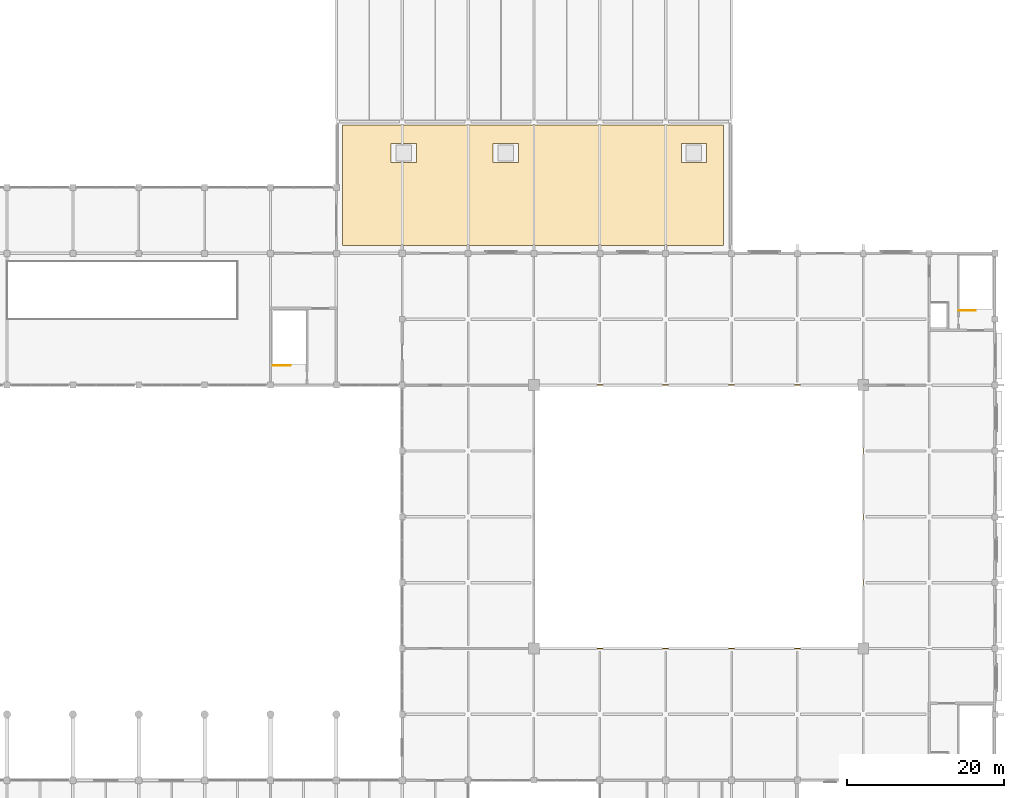
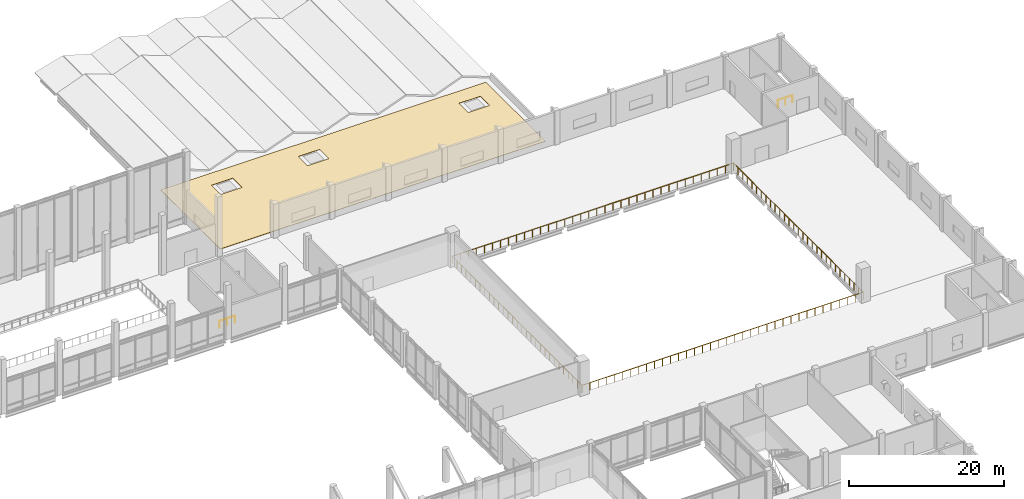
# One storey, part 72 of 72: 3 railings, 1 covering.
"""IFC4 building model written with IfcOpenShell, lengths in metres."""

from ifc_helpers import new_model, si_unit, direction, frame, origin, origin_2d, place, context, subcontext, project, spatial, polyline, circle, outline, extrude, material, layer, layer_set, type_object, element, save


model = new_model("IFC4")

# Units and contexts
model_context = context("Model", 3, precision=1e-05, world=origin(), true_north=direction((0.0, 1.0)))
body_context = subcontext(model_context, "Body", "Model", "MODEL_VIEW")
ifc_project = project(units=[si_unit("LENGTHUNIT", "METRE"), si_unit("AREAUNIT", "SQUARE_METRE"), si_unit("VOLUMEUNIT", "CUBIC_METRE"), si_unit("PLANEANGLEUNIT", "RADIAN"), si_unit("MASSUNIT", "GRAM", prefix="KILO")], contexts=[model_context])

# Site, building, storey
site_placement = place(None, origin())
site = spatial("IfcSite", under=ifc_project, at=site_placement, CompositionType="ELEMENT")
building_placement = place(site_placement, origin())
building = spatial("IfcBuilding", under=site, at=building_placement, Name="Qawsi Khor Wholesale Market", CompositionType="ELEMENT")
storey_placement = place(building_placement, frame((0.0, 0.0, 6.0)))
storey = spatial("IfcBuildingStorey", under=building, at=storey_placement, Name="L01", CompositionType="ELEMENT", Elevation=6.0)

# Covering
ifc_material_1 = material(Name="Polymer-Modified Bitumen Membrane", Category="membrane")
ifc_layer = layer(ifc_material_1, 0.050048828125, Name="Polymer-Modified Bitumen Membrane")
ifc_layer_set = layer_set([ifc_layer], Name="Polymer-Modified Bitumen Membrane")
covering_type = type_object("IfcCoveringType", Name="Elastomeric Cool-Roof Waterproofing Membrane", PredefinedType="ROOFING", material=ifc_layer_set)
covering_placement = place(storey_placement, origin())
element("IfcCovering", 1, at=covering_placement, inside=storey, type_object=covering_type, Name="Roof covering 2", PredefinedType="ROOFING", context=body_context, shape_type="SweptSolid", body=[
    extrude(outline(polyline([(135.199951171875, 125.60009765625), (183.800048828125, 125.60009765625), (183.800048828125, 110.199951171875), (135.199951171875, 110.199951171875), (135.199951171875, 125.60009765625)]), holes=[polyline([(141.39990234375, 120.800048828125), (144.60009765625, 120.800048828125), (144.60009765625, 123.199951171875), (141.39990234375, 123.199951171875), (141.39990234375, 120.800048828125)]), polyline([(154.39990234375, 123.199951171875), (154.39990234375, 120.800048828125), (157.60009765625, 120.800048828125), (157.60009765625, 123.199951171875), (154.39990234375, 123.199951171875)]), polyline([(178.39990234375, 123.199951171875), (178.39990234375, 120.800048828125), (181.60009765625, 120.800048828125), (181.60009765625, 123.199951171875), (178.39990234375, 123.199951171875)])]), origin(), (0.0, 0.0, 1.0), 0.050048828125),
])

# Railings
ifc_material_2 = material(Name="Brushed Stainless Steel 316", Category="steel")
railing_type_1 = type_object("IfcRailingType", Name="Stair & Void Guard Balustrade 1120", PredefinedType="BALUSTRADE", material=ifc_material_2)
railing_1_placement = place(storey_placement, frame((126.300048828125, 94.89990234375, 0.0)))
element("IfcRailing", 2, at=railing_1_placement, inside=storey, type_object=railing_type_1, Name="Stairwell arrival guard ST-10 L01", PredefinedType="BALUSTRADE", context=body_context, shape_type="SweptSolid", body=[
    extrude(circle(Radius=0.02392578125, at=origin_2d()), frame((0.0, 0.0, 1.09619140625), z_axis=(1.0, 0.0, 0.0), x_axis=(0.0, 1.0, 0.0)), (0.0, 0.0, 1.0), 2.280029296875),
    extrude(circle(Radius=0.02099609375, at=origin_2d()), origin(), (0.0, 0.0, 1.0), 1.072021484375),
    extrude(circle(Radius=0.02099609375, at=origin_2d()), frame((1.14013671875, 0.0, 0.0)), (0.0, 0.0, 1.0), 1.072021484375),
    extrude(circle(Radius=0.02099609375, at=origin_2d()), frame((2.280029296875, 0.0, 0.0)), (0.0, 0.0, 1.0), 1.072021484375),
])
railing_2_placement = place(storey_placement, frame((213.760009765625, 101.89990234375, 0.0)))
element("IfcRailing", 3, at=railing_2_placement, inside=storey, type_object=railing_type_1, Name="Stairwell arrival guard ST-12 L01", PredefinedType="BALUSTRADE", context=body_context, shape_type="SweptSolid", body=[
    extrude(circle(Radius=0.02392578125, at=origin_2d()), frame((0.0, 0.0, 1.09619140625), z_axis=(1.0, 0.0, 0.0), x_axis=(0.0, 1.0, 0.0)), (0.0, 0.0, 1.0), 2.139892578125),
    extrude(circle(Radius=0.02099609375, at=origin_2d()), origin(), (0.0, 0.0, 1.0), 1.072021484375),
    extrude(circle(Radius=0.02099609375, at=origin_2d()), frame((1.06982421875, 0.0, 0.0)), (0.0, 0.0, 1.0), 1.072021484375),
    extrude(circle(Radius=0.02099609375, at=origin_2d()), frame((2.139892578125, 0.0, 0.0)), (0.0, 0.0, 1.0), 1.072021484375),
])
ifc_material_3 = material(Name="Brushed Stainless Steel 316 & Laminated Glass", Category="steel")
railing_type_2 = type_object("IfcRailingType", Name="Terrace Perimeter Guard Balustrade 1180", PredefinedType="BALUSTRADE", material=ifc_material_3)
railing_3_placement = place(storey_placement, frame((159.60009765625, 58.800048828125, 0.0)))
element("IfcRailing", 4, at=railing_3_placement, inside=storey, type_object=railing_type_2, Name="Guard balustrade GRD-VOID-EH-L01", PredefinedType="BALUSTRADE", context=body_context, shape_type="SweptSolid", body=[
    extrude(circle(Radius=0.02392578125, at=origin_2d()), frame((0.0, 0.0, 1.15576171875), z_axis=(1.0, 0.0, 0.0), x_axis=(0.0, 1.0, 0.0)), (0.0, 0.0, 1.0), 42.0),
    extrude(circle(Radius=0.02392578125, at=origin_2d()), frame((42.0, 0.0, 1.15576171875), z_axis=(0.0, 1.0, 0.0), x_axis=(-1.0, 0.0, 0.0)), (0.0, 0.0, 1.0), 33.599853515625),
    extrude(circle(Radius=0.02392578125, at=origin_2d()), frame((42.0, 33.599853515625, 1.15576171875), z_axis=(-1.0, 0.0, 0.0), x_axis=(0.0, -1.0, 0.0)), (0.0, 0.0, 1.0), 42.0),
    extrude(circle(Radius=0.02392578125, at=origin_2d()), frame((0.0, 33.599853515625, 1.15576171875), z_axis=(0.0, -1.0, 0.0), x_axis=(1.0, 0.0, 0.0)), (0.0, 0.0, 1.0), 33.599853515625),
    extrude(circle(Radius=0.02099609375, at=origin_2d()), origin(), (0.0, 0.0, 1.0), 1.1318359375),
    extrude(circle(Radius=0.02099609375, at=origin_2d()), frame((1.199951171875, 0.0, 0.0)), (0.0, 0.0, 1.0), 1.1318359375),
    extrude(circle(Radius=0.02099609375, at=origin_2d()), frame((2.39990234375, 0.0, 0.0)), (0.0, 0.0, 1.0), 1.1318359375),
    extrude(circle(Radius=0.02099609375, at=origin_2d()), frame((3.60009765625, 0.0, 0.0)), (0.0, 0.0, 1.0), 1.1318359375),
    extrude(circle(Radius=0.02099609375, at=origin_2d()), frame((4.800048828125, 0.0, 0.0)), (0.0, 0.0, 1.0), 1.1318359375),
    extrude(circle(Radius=0.02099609375, at=origin_2d()), frame((6.0, 0.0, 0.0)), (0.0, 0.0, 1.0), 1.1318359375),
    extrude(circle(Radius=0.02099609375, at=origin_2d()), frame((7.199951171875, 0.0, 0.0)), (0.0, 0.0, 1.0), 1.1318359375),
    extrude(circle(Radius=0.02099609375, at=origin_2d()), frame((8.39990234375, 0.0, 0.0)), (0.0, 0.0, 1.0), 1.1318359375),
    extrude(circle(Radius=0.02099609375, at=origin_2d()), frame((9.60009765625, 0.0, 0.0)), (0.0, 0.0, 1.0), 1.1318359375),
    extrude(circle(Radius=0.02099609375, at=origin_2d()), frame((10.800048828125, 0.0, 0.0)), (0.0, 0.0, 1.0), 1.1318359375),
    extrude(circle(Radius=0.02099609375, at=origin_2d()), frame((12.0, 0.0, 0.0)), (0.0, 0.0, 1.0), 1.1318359375),
    extrude(circle(Radius=0.02099609375, at=origin_2d()), frame((13.199951171875, 0.0, 0.0)), (0.0, 0.0, 1.0), 1.1318359375),
    extrude(circle(Radius=0.02099609375, at=origin_2d()), frame((14.39990234375, 0.0, 0.0)), (0.0, 0.0, 1.0), 1.1318359375),
    extrude(circle(Radius=0.02099609375, at=origin_2d()), frame((15.60009765625, 0.0, 0.0)), (0.0, 0.0, 1.0), 1.1318359375),
    extrude(circle(Radius=0.02099609375, at=origin_2d()), frame((16.800048828125, 0.0, 0.0)), (0.0, 0.0, 1.0), 1.1318359375),
    extrude(circle(Radius=0.02099609375, at=origin_2d()), frame((18.0, 0.0, 0.0)), (0.0, 0.0, 1.0), 1.1318359375),
    extrude(circle(Radius=0.02099609375, at=origin_2d()), frame((19.199951171875, 0.0, 0.0)), (0.0, 0.0, 1.0), 1.1318359375),
    extrude(circle(Radius=0.02099609375, at=origin_2d()), frame((20.39990234375, 0.0, 0.0)), (0.0, 0.0, 1.0), 1.1318359375),
    extrude(circle(Radius=0.02099609375, at=origin_2d()), frame((21.60009765625, 0.0, 0.0)), (0.0, 0.0, 1.0), 1.1318359375),
    extrude(circle(Radius=0.02099609375, at=origin_2d()), frame((22.800048828125, 0.0, 0.0)), (0.0, 0.0, 1.0), 1.1318359375),
    extrude(circle(Radius=0.02099609375, at=origin_2d()), frame((24.0, 0.0, 0.0)), (0.0, 0.0, 1.0), 1.1318359375),
    extrude(circle(Radius=0.02099609375, at=origin_2d()), frame((25.199951171875, 0.0, 0.0)), (0.0, 0.0, 1.0), 1.1318359375),
    extrude(circle(Radius=0.02099609375, at=origin_2d()), frame((26.39990234375, 0.0, 0.0)), (0.0, 0.0, 1.0), 1.1318359375),
    extrude(circle(Radius=0.02099609375, at=origin_2d()), frame((27.60009765625, 0.0, 0.0)), (0.0, 0.0, 1.0), 1.1318359375),
    extrude(circle(Radius=0.02099609375, at=origin_2d()), frame((28.800048828125, 0.0, 0.0)), (0.0, 0.0, 1.0), 1.1318359375),
    extrude(circle(Radius=0.02099609375, at=origin_2d()), frame((30.0, 0.0, 0.0)), (0.0, 0.0, 1.0), 1.1318359375),
    extrude(circle(Radius=0.02099609375, at=origin_2d()), frame((31.199951171875, 0.0, 0.0)), (0.0, 0.0, 1.0), 1.1318359375),
    extrude(circle(Radius=0.02099609375, at=origin_2d()), frame((32.39990234375, 0.0, 0.0)), (0.0, 0.0, 1.0), 1.1318359375),
    extrude(circle(Radius=0.02099609375, at=origin_2d()), frame((33.60009765625, 0.0, 0.0)), (0.0, 0.0, 1.0), 1.1318359375),
    extrude(circle(Radius=0.02099609375, at=origin_2d()), frame((34.800048828125, 0.0, 0.0)), (0.0, 0.0, 1.0), 1.1318359375),
    extrude(circle(Radius=0.02099609375, at=origin_2d()), frame((36.0, 0.0, 0.0)), (0.0, 0.0, 1.0), 1.1318359375),
    extrude(circle(Radius=0.02099609375, at=origin_2d()), frame((37.199951171875, 0.0, 0.0)), (0.0, 0.0, 1.0), 1.1318359375),
    extrude(circle(Radius=0.02099609375, at=origin_2d()), frame((38.39990234375, 0.0, 0.0)), (0.0, 0.0, 1.0), 1.1318359375),
    extrude(circle(Radius=0.02099609375, at=origin_2d()), frame((39.60009765625, 0.0, 0.0)), (0.0, 0.0, 1.0), 1.1318359375),
    extrude(circle(Radius=0.02099609375, at=origin_2d()), frame((40.800048828125, 0.0, 0.0)), (0.0, 0.0, 1.0), 1.1318359375),
    extrude(circle(Radius=0.02099609375, at=origin_2d()), frame((42.0, 0.0, 0.0)), (0.0, 0.0, 1.0), 1.1318359375),
    extrude(circle(Radius=0.02099609375, at=origin_2d()), frame((42.0, 1.199951171875, 0.0)), (0.0, 0.0, 1.0), 1.1318359375),
    extrude(circle(Radius=0.02099609375, at=origin_2d()), frame((42.0, 2.39990234375, 0.0)), (0.0, 0.0, 1.0), 1.1318359375),
    extrude(circle(Radius=0.02099609375, at=origin_2d()), frame((42.0, 3.60009765625, 0.0)), (0.0, 0.0, 1.0), 1.1318359375),
    extrude(circle(Radius=0.02099609375, at=origin_2d()), frame((42.0, 4.800048828125, 0.0)), (0.0, 0.0, 1.0), 1.1318359375),
    extrude(circle(Radius=0.02099609375, at=origin_2d()), frame((42.0, 6.0, 0.0)), (0.0, 0.0, 1.0), 1.1318359375),
    extrude(circle(Radius=0.02099609375, at=origin_2d()), frame((42.0, 7.199951171875, 0.0)), (0.0, 0.0, 1.0), 1.1318359375),
    extrude(circle(Radius=0.02099609375, at=origin_2d()), frame((42.0, 8.39990234375, 0.0)), (0.0, 0.0, 1.0), 1.1318359375),
    extrude(circle(Radius=0.02099609375, at=origin_2d()), frame((42.0, 9.599853515625, 0.0)), (0.0, 0.0, 1.0), 1.1318359375),
    extrude(circle(Radius=0.02099609375, at=origin_2d()), frame((42.0, 10.800048828125, 0.0)), (0.0, 0.0, 1.0), 1.1318359375),
    extrude(circle(Radius=0.02099609375, at=origin_2d()), frame((42.0, 12.0, 0.0)), (0.0, 0.0, 1.0), 1.1318359375),
    extrude(circle(Radius=0.02099609375, at=origin_2d()), frame((42.0, 13.199951171875, 0.0)), (0.0, 0.0, 1.0), 1.1318359375),
    extrude(circle(Radius=0.02099609375, at=origin_2d()), frame((42.0, 14.39990234375, 0.0)), (0.0, 0.0, 1.0), 1.1318359375),
    extrude(circle(Radius=0.02099609375, at=origin_2d()), frame((42.0, 15.599853515625, 0.0)), (0.0, 0.0, 1.0), 1.1318359375),
    extrude(circle(Radius=0.02099609375, at=origin_2d()), frame((42.0, 16.7998046875, 0.0)), (0.0, 0.0, 1.0), 1.1318359375),
    extrude(circle(Radius=0.02099609375, at=origin_2d()), frame((42.0, 18.0, 0.0)), (0.0, 0.0, 1.0), 1.1318359375),
    extrude(circle(Radius=0.02099609375, at=origin_2d()), frame((42.0, 19.199951171875, 0.0)), (0.0, 0.0, 1.0), 1.1318359375),
    extrude(circle(Radius=0.02099609375, at=origin_2d()), frame((42.0, 20.39990234375, 0.0)), (0.0, 0.0, 1.0), 1.1318359375),
    extrude(circle(Radius=0.02099609375, at=origin_2d()), frame((42.0, 21.599853515625, 0.0)), (0.0, 0.0, 1.0), 1.1318359375),
    extrude(circle(Radius=0.02099609375, at=origin_2d()), frame((42.0, 22.7998046875, 0.0)), (0.0, 0.0, 1.0), 1.1318359375),
    extrude(circle(Radius=0.02099609375, at=origin_2d()), frame((42.0, 24.0, 0.0)), (0.0, 0.0, 1.0), 1.1318359375),
    extrude(circle(Radius=0.02099609375, at=origin_2d()), frame((42.0, 25.199951171875, 0.0)), (0.0, 0.0, 1.0), 1.1318359375),
    extrude(circle(Radius=0.02099609375, at=origin_2d()), frame((42.0, 26.39990234375, 0.0)), (0.0, 0.0, 1.0), 1.1318359375),
    extrude(circle(Radius=0.02099609375, at=origin_2d()), frame((42.0, 27.599853515625, 0.0)), (0.0, 0.0, 1.0), 1.1318359375),
    extrude(circle(Radius=0.02099609375, at=origin_2d()), frame((42.0, 28.7998046875, 0.0)), (0.0, 0.0, 1.0), 1.1318359375),
    extrude(circle(Radius=0.02099609375, at=origin_2d()), frame((42.0, 29.999755859375, 0.0)), (0.0, 0.0, 1.0), 1.1318359375),
    extrude(circle(Radius=0.02099609375, at=origin_2d()), frame((42.0, 31.199951171875, 0.0)), (0.0, 0.0, 1.0), 1.1318359375),
    extrude(circle(Radius=0.02099609375, at=origin_2d()), frame((42.0, 32.39990234375, 0.0)), (0.0, 0.0, 1.0), 1.1318359375),
    extrude(circle(Radius=0.02099609375, at=origin_2d()), frame((42.0, 33.599853515625, 0.0)), (0.0, 0.0, 1.0), 1.1318359375),
    extrude(circle(Radius=0.02099609375, at=origin_2d()), frame((40.800048828125, 33.599853515625, 0.0)), (0.0, 0.0, 1.0), 1.1318359375),
    extrude(circle(Radius=0.02099609375, at=origin_2d()), frame((39.60009765625, 33.599853515625, 0.0)), (0.0, 0.0, 1.0), 1.1318359375),
    extrude(circle(Radius=0.02099609375, at=origin_2d()), frame((38.39990234375, 33.599853515625, 0.0)), (0.0, 0.0, 1.0), 1.1318359375),
    extrude(circle(Radius=0.02099609375, at=origin_2d()), frame((37.199951171875, 33.599853515625, 0.0)), (0.0, 0.0, 1.0), 1.1318359375),
    extrude(circle(Radius=0.02099609375, at=origin_2d()), frame((36.0, 33.599853515625, 0.0)), (0.0, 0.0, 1.0), 1.1318359375),
    extrude(circle(Radius=0.02099609375, at=origin_2d()), frame((34.800048828125, 33.599853515625, 0.0)), (0.0, 0.0, 1.0), 1.1318359375),
    extrude(circle(Radius=0.02099609375, at=origin_2d()), frame((33.60009765625, 33.599853515625, 0.0)), (0.0, 0.0, 1.0), 1.1318359375),
    extrude(circle(Radius=0.02099609375, at=origin_2d()), frame((32.39990234375, 33.599853515625, 0.0)), (0.0, 0.0, 1.0), 1.1318359375),
    extrude(circle(Radius=0.02099609375, at=origin_2d()), frame((31.199951171875, 33.599853515625, 0.0)), (0.0, 0.0, 1.0), 1.1318359375),
    extrude(circle(Radius=0.02099609375, at=origin_2d()), frame((30.0, 33.599853515625, 0.0)), (0.0, 0.0, 1.0), 1.1318359375),
    extrude(circle(Radius=0.02099609375, at=origin_2d()), frame((28.800048828125, 33.599853515625, 0.0)), (0.0, 0.0, 1.0), 1.1318359375),
    extrude(circle(Radius=0.02099609375, at=origin_2d()), frame((27.60009765625, 33.599853515625, 0.0)), (0.0, 0.0, 1.0), 1.1318359375),
    extrude(circle(Radius=0.02099609375, at=origin_2d()), frame((26.39990234375, 33.599853515625, 0.0)), (0.0, 0.0, 1.0), 1.1318359375),
    extrude(circle(Radius=0.02099609375, at=origin_2d()), frame((25.199951171875, 33.599853515625, 0.0)), (0.0, 0.0, 1.0), 1.1318359375),
    extrude(circle(Radius=0.02099609375, at=origin_2d()), frame((24.0, 33.599853515625, 0.0)), (0.0, 0.0, 1.0), 1.1318359375),
    extrude(circle(Radius=0.02099609375, at=origin_2d()), frame((22.800048828125, 33.599853515625, 0.0)), (0.0, 0.0, 1.0), 1.1318359375),
    extrude(circle(Radius=0.02099609375, at=origin_2d()), frame((21.60009765625, 33.599853515625, 0.0)), (0.0, 0.0, 1.0), 1.1318359375),
    extrude(circle(Radius=0.02099609375, at=origin_2d()), frame((20.39990234375, 33.599853515625, 0.0)), (0.0, 0.0, 1.0), 1.1318359375),
    extrude(circle(Radius=0.02099609375, at=origin_2d()), frame((19.199951171875, 33.599853515625, 0.0)), (0.0, 0.0, 1.0), 1.1318359375),
    extrude(circle(Radius=0.02099609375, at=origin_2d()), frame((18.0, 33.599853515625, 0.0)), (0.0, 0.0, 1.0), 1.1318359375),
    extrude(circle(Radius=0.02099609375, at=origin_2d()), frame((16.800048828125, 33.599853515625, 0.0)), (0.0, 0.0, 1.0), 1.1318359375),
    extrude(circle(Radius=0.02099609375, at=origin_2d()), frame((15.60009765625, 33.599853515625, 0.0)), (0.0, 0.0, 1.0), 1.1318359375),
    extrude(circle(Radius=0.02099609375, at=origin_2d()), frame((14.39990234375, 33.599853515625, 0.0)), (0.0, 0.0, 1.0), 1.1318359375),
    extrude(circle(Radius=0.02099609375, at=origin_2d()), frame((13.199951171875, 33.599853515625, 0.0)), (0.0, 0.0, 1.0), 1.1318359375),
    extrude(circle(Radius=0.02099609375, at=origin_2d()), frame((12.0, 33.599853515625, 0.0)), (0.0, 0.0, 1.0), 1.1318359375),
    extrude(circle(Radius=0.02099609375, at=origin_2d()), frame((10.800048828125, 33.599853515625, 0.0)), (0.0, 0.0, 1.0), 1.1318359375),
    extrude(circle(Radius=0.02099609375, at=origin_2d()), frame((9.60009765625, 33.599853515625, 0.0)), (0.0, 0.0, 1.0), 1.1318359375),
    extrude(circle(Radius=0.02099609375, at=origin_2d()), frame((8.39990234375, 33.599853515625, 0.0)), (0.0, 0.0, 1.0), 1.1318359375),
    extrude(circle(Radius=0.02099609375, at=origin_2d()), frame((7.199951171875, 33.599853515625, 0.0)), (0.0, 0.0, 1.0), 1.1318359375),
    extrude(circle(Radius=0.02099609375, at=origin_2d()), frame((6.0, 33.599853515625, 0.0)), (0.0, 0.0, 1.0), 1.1318359375),
    extrude(circle(Radius=0.02099609375, at=origin_2d()), frame((4.800048828125, 33.599853515625, 0.0)), (0.0, 0.0, 1.0), 1.1318359375),
    extrude(circle(Radius=0.02099609375, at=origin_2d()), frame((3.60009765625, 33.599853515625, 0.0)), (0.0, 0.0, 1.0), 1.1318359375),
    extrude(circle(Radius=0.02099609375, at=origin_2d()), frame((2.39990234375, 33.599853515625, 0.0)), (0.0, 0.0, 1.0), 1.1318359375),
    extrude(circle(Radius=0.02099609375, at=origin_2d()), frame((1.199951171875, 33.599853515625, 0.0)), (0.0, 0.0, 1.0), 1.1318359375),
    extrude(circle(Radius=0.02099609375, at=origin_2d()), frame((0.0, 33.599853515625, 0.0)), (0.0, 0.0, 1.0), 1.1318359375),
    extrude(circle(Radius=0.02099609375, at=origin_2d()), frame((0.0, 32.39990234375, 0.0)), (0.0, 0.0, 1.0), 1.1318359375),
    extrude(circle(Radius=0.02099609375, at=origin_2d()), frame((0.0, 31.199951171875, 0.0)), (0.0, 0.0, 1.0), 1.1318359375),
    extrude(circle(Radius=0.02099609375, at=origin_2d()), frame((0.0, 29.999755859375, 0.0)), (0.0, 0.0, 1.0), 1.1318359375),
    extrude(circle(Radius=0.02099609375, at=origin_2d()), frame((0.0, 28.7998046875, 0.0)), (0.0, 0.0, 1.0), 1.1318359375),
    extrude(circle(Radius=0.02099609375, at=origin_2d()), frame((0.0, 27.599853515625, 0.0)), (0.0, 0.0, 1.0), 1.1318359375),
    extrude(circle(Radius=0.02099609375, at=origin_2d()), frame((0.0, 26.39990234375, 0.0)), (0.0, 0.0, 1.0), 1.1318359375),
    extrude(circle(Radius=0.02099609375, at=origin_2d()), frame((0.0, 25.199951171875, 0.0)), (0.0, 0.0, 1.0), 1.1318359375),
    extrude(circle(Radius=0.02099609375, at=origin_2d()), frame((0.0, 24.0, 0.0)), (0.0, 0.0, 1.0), 1.1318359375),
    extrude(circle(Radius=0.02099609375, at=origin_2d()), frame((0.0, 22.7998046875, 0.0)), (0.0, 0.0, 1.0), 1.1318359375),
    extrude(circle(Radius=0.02099609375, at=origin_2d()), frame((0.0, 21.599853515625, 0.0)), (0.0, 0.0, 1.0), 1.1318359375),
    extrude(circle(Radius=0.02099609375, at=origin_2d()), frame((0.0, 20.39990234375, 0.0)), (0.0, 0.0, 1.0), 1.1318359375),
    extrude(circle(Radius=0.02099609375, at=origin_2d()), frame((0.0, 19.199951171875, 0.0)), (0.0, 0.0, 1.0), 1.1318359375),
    extrude(circle(Radius=0.02099609375, at=origin_2d()), frame((0.0, 18.0, 0.0)), (0.0, 0.0, 1.0), 1.1318359375),
    extrude(circle(Radius=0.02099609375, at=origin_2d()), frame((0.0, 16.7998046875, 0.0)), (0.0, 0.0, 1.0), 1.1318359375),
    extrude(circle(Radius=0.02099609375, at=origin_2d()), frame((0.0, 15.599853515625, 0.0)), (0.0, 0.0, 1.0), 1.1318359375),
    extrude(circle(Radius=0.02099609375, at=origin_2d()), frame((0.0, 14.39990234375, 0.0)), (0.0, 0.0, 1.0), 1.1318359375),
    extrude(circle(Radius=0.02099609375, at=origin_2d()), frame((0.0, 13.199951171875, 0.0)), (0.0, 0.0, 1.0), 1.1318359375),
    extrude(circle(Radius=0.02099609375, at=origin_2d()), frame((0.0, 12.0, 0.0)), (0.0, 0.0, 1.0), 1.1318359375),
    extrude(circle(Radius=0.02099609375, at=origin_2d()), frame((0.0, 10.800048828125, 0.0)), (0.0, 0.0, 1.0), 1.1318359375),
    extrude(circle(Radius=0.02099609375, at=origin_2d()), frame((0.0, 9.599853515625, 0.0)), (0.0, 0.0, 1.0), 1.1318359375),
    extrude(circle(Radius=0.02099609375, at=origin_2d()), frame((0.0, 8.39990234375, 0.0)), (0.0, 0.0, 1.0), 1.1318359375),
    extrude(circle(Radius=0.02099609375, at=origin_2d()), frame((0.0, 7.199951171875, 0.0)), (0.0, 0.0, 1.0), 1.1318359375),
    extrude(circle(Radius=0.02099609375, at=origin_2d()), frame((0.0, 6.0, 0.0)), (0.0, 0.0, 1.0), 1.1318359375),
    extrude(circle(Radius=0.02099609375, at=origin_2d()), frame((0.0, 4.800048828125, 0.0)), (0.0, 0.0, 1.0), 1.1318359375),
    extrude(circle(Radius=0.02099609375, at=origin_2d()), frame((0.0, 3.60009765625, 0.0)), (0.0, 0.0, 1.0), 1.1318359375),
    extrude(circle(Radius=0.02099609375, at=origin_2d()), frame((0.0, 2.39990234375, 0.0)), (0.0, 0.0, 1.0), 1.1318359375),
    extrude(circle(Radius=0.02099609375, at=origin_2d()), frame((0.0, 1.199951171875, 0.0)), (0.0, 0.0, 1.0), 1.1318359375),
])

save(model, "model.ifc")
